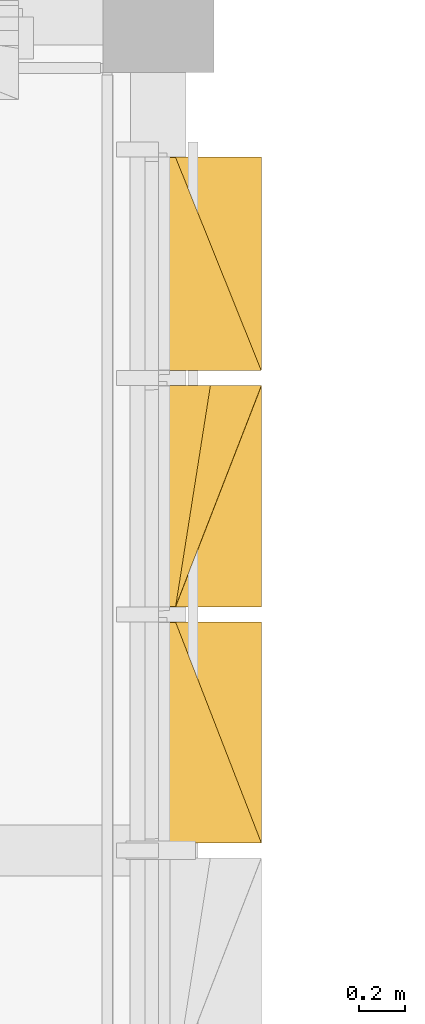
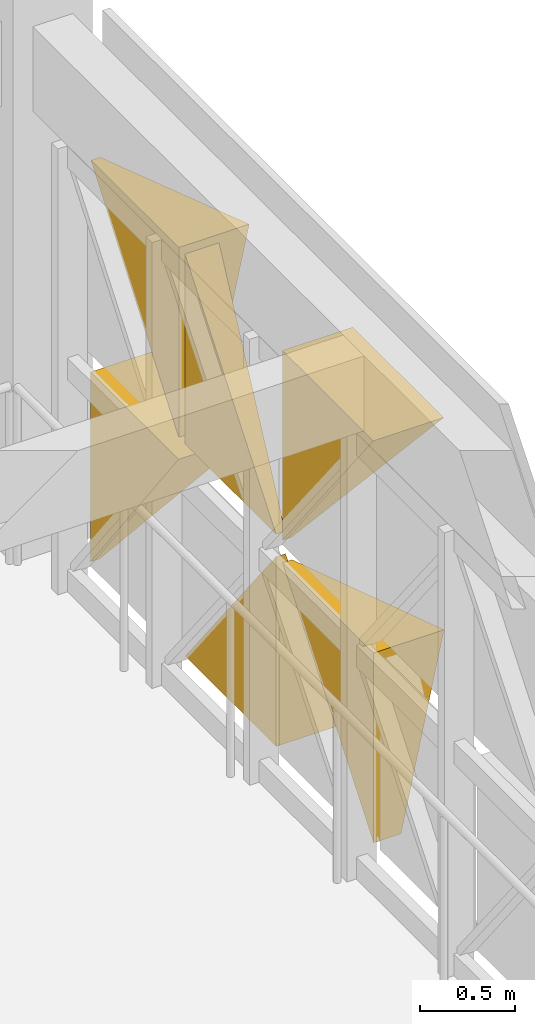
# One storey, part 48 of 48: 6 coverings.
"""IFC4 building model written with IfcOpenShell, lengths in metres."""

from ifc_helpers import new_model, si_unit, direction, frame, origin, place, context, subcontext, project, spatial, polygons, material, layer, layer_set, type_object, element, save


model = new_model("IFC4")

# Units and contexts
model_context = context("Model", 3, precision=1e-05, world=origin(), true_north=direction((0.0, 1.0)))
body_context = subcontext(model_context, "Body", "Model", "MODEL_VIEW")
ifc_project = project(units=[si_unit("LENGTHUNIT", "METRE"), si_unit("AREAUNIT", "SQUARE_METRE"), si_unit("VOLUMEUNIT", "CUBIC_METRE"), si_unit("PLANEANGLEUNIT", "RADIAN"), si_unit("MASSUNIT", "GRAM", prefix="KILO")], contexts=[model_context])

# Site, building, storey
site_placement = place(None, origin())
site = spatial("IfcSite", under=ifc_project, at=site_placement, CompositionType="ELEMENT")
building_placement = place(site_placement, origin())
building = spatial("IfcBuilding", under=site, at=building_placement, Name="Alvorim Cloister Faculty of Sciences", CompositionType="ELEMENT")
storey_placement = place(building_placement, frame((0.0, 0.0, 19.35009765625)))
storey = spatial("IfcBuildingStorey", under=building, at=storey_placement, Name="L05", CompositionType="ELEMENT", Elevation=19.35009765625)

# Coverings
ifc_material = material(Name="Perforated Bronze Alloy Sheet", Category="metal")
ifc_layer = layer(ifc_material, 0.0380859375)
ifc_layer_set = layer_set([ifc_layer], Name="Perforated Bronze Alloy Sheet")
covering_type = type_object("IfcCoveringType", Name="COV-TRI-BRZ", PredefinedType="CLADDING", material=ifc_layer_set)
covering_1_placement = place(storey_placement, frame((57.64501953125, 52.83251953125, 0.139892578125), z_axis=(0.0, 0.0, 1.0), x_axis=(0.0, 1.0, 0.0)))
element("IfcCovering", 1, at=covering_1_placement, inside=storey, type_object=covering_type, Name="Diagonal Solid Metal Triangle TRI-TL", PredefinedType="CLADDING", context=body_context, shape_type="Tessellation", body=[
    polygons([(0.953078125, 0.0260009765625, 1.215087890625), (0.0, 0.0260009765625, 1.215087890625), (0.0, 0.0260009765625, 0.002), (0.953078125, -0.03, 1.215087890625), (0.0, -0.4, 1.215087890625), (0.0, -0.13999999999999999, 0.002)], [[[1, 3, 2]], [[4, 5, 6]], [[1, 2, 5, 4]], [[2, 3, 6, 5]], [[3, 1, 4, 6]]], closed=True),
])
covering_2_placement = place(storey_placement, frame((57.64501953125, 52.83251953125, 1.494873046875), z_axis=(0.0, 0.0, 1.0), x_axis=(0.0, 1.0, 0.0)))
element("IfcCovering", 2, at=covering_2_placement, inside=storey, type_object=covering_type, Name="Diagonal Solid Metal Triangle TRI-TR", PredefinedType="CLADDING", context=body_context, shape_type="Tessellation", body=[
    polygons([(0.955078125, 0.0260009765625, 0.002), (0.955078125, 0.0260009765625, 1.215087890625), (0.002, 0.0260009765625, 1.215087890625), (0.955078125, -0.03, 0.002), (0.955078125, -0.4, 1.215087890625), (0.002, -0.4, 1.215087890625)], [[[1, 3, 2]], [[4, 5, 6]], [[1, 2, 5, 4]], [[2, 3, 6, 5]], [[3, 1, 4, 6]]], closed=True),
])
covering_3_placement = place(storey_placement, frame((57.64501953125, 53.8525390625, 0.139892578125), z_axis=(0.0, 0.0, 1.0), x_axis=(0.0, 1.0, 0.0)))
element("IfcCovering", 3, at=covering_3_placement, inside=storey, type_object=covering_type, Name="Diagonal Solid Metal Triangle TRI-BL", PredefinedType="CLADDING", context=body_context, shape_type="Tessellation", body=[
    polygons([(0.0, 0.0260009765625, 0.0), (0.953078125, 0.0260009765625, 0.0), (0.0, 0.0260009765625, 1.213087890625), (0.0, -0.4, 0.0), (0.953078125, -0.4, 0.0), (0.0, -0.03, 1.213087890625)], [[[1, 3, 2]], [[4, 5, 6]], [[1, 2, 5, 4]], [[2, 3, 6, 5]], [[3, 1, 4, 6]]], closed=True),
])
covering_4_placement = place(storey_placement, frame((57.64501953125, 53.8525390625, 1.494873046875), z_axis=(0.0, 0.0, 1.0), x_axis=(0.0, 1.0, 0.0)))
element("IfcCovering", 4, at=covering_4_placement, inside=storey, type_object=covering_type, Name="Diagonal Solid Metal Triangle TRI-BR", PredefinedType="CLADDING", context=body_context, shape_type="Tessellation", body=[
    polygons([(0.002, 0.0260009765625, 0.0), (0.955078125, 0.0260009765625, 0.0), (0.955078125, 0.0260009765625, 1.213087890625), (0.002, -0.03, 0.0), (0.955078125, -0.4, 0.0), (0.955078125, -0.18000000000000002, 1.213087890625)], [[[1, 3, 2]], [[4, 5, 6]], [[1, 2, 5, 4]], [[2, 3, 6, 5]], [[3, 1, 4, 6]]], closed=True),
])
covering_5_placement = place(storey_placement, frame((57.64501953125, 54.87255859375, 0.139892578125), z_axis=(0.0, 0.0, 1.0), x_axis=(0.0, 1.0, 0.0)))
element("IfcCovering", 5, at=covering_5_placement, inside=storey, type_object=covering_type, Name="Diagonal Solid Metal Triangle TRI-TR", PredefinedType="CLADDING", context=body_context, shape_type="Tessellation", body=[
    polygons([(0.922607421875, 0.0260009765625, 0.002), (0.922607421875, 0.0260009765625, 1.215087890625), (0.002, 0.0260009765625, 1.215087890625), (0.922607421875, -0.03, 0.002), (0.922607421875, -0.4, 1.215087890625), (0.002, -0.4, 1.215087890625)], [[[1, 3, 2]], [[4, 5, 6]], [[1, 2, 5, 4]], [[2, 3, 6, 5]], [[3, 1, 4, 6]]], closed=True),
])
covering_6_placement = place(storey_placement, frame((57.64501953125, 54.87255859375, 1.494873046875), z_axis=(0.0, 0.0, 1.0), x_axis=(0.0, 1.0, 0.0)))
element("IfcCovering", 6, at=covering_6_placement, inside=storey, type_object=covering_type, Name="Diagonal Solid Metal Triangle TRI-TL", PredefinedType="CLADDING", context=body_context, shape_type="Tessellation", body=[
    polygons([(0.920607421875, 0.0260009765625, 1.215087890625), (0.0, 0.0260009765625, 1.215087890625), (0.0, 0.0260009765625, 0.002), (0.920607421875, -0.03, 1.215087890625), (0.0, -0.4, 1.215087890625), (0.0, -0.13999999999999999, 0.002)], [[[1, 3, 2]], [[4, 5, 6]], [[1, 2, 5, 4]], [[2, 3, 6, 5]], [[3, 1, 4, 6]]], closed=True),
])

save(model, "model.ifc")
